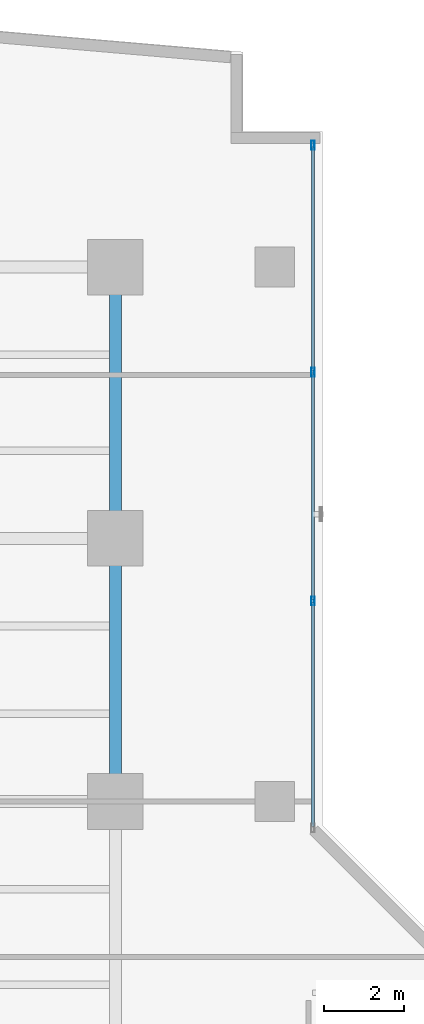
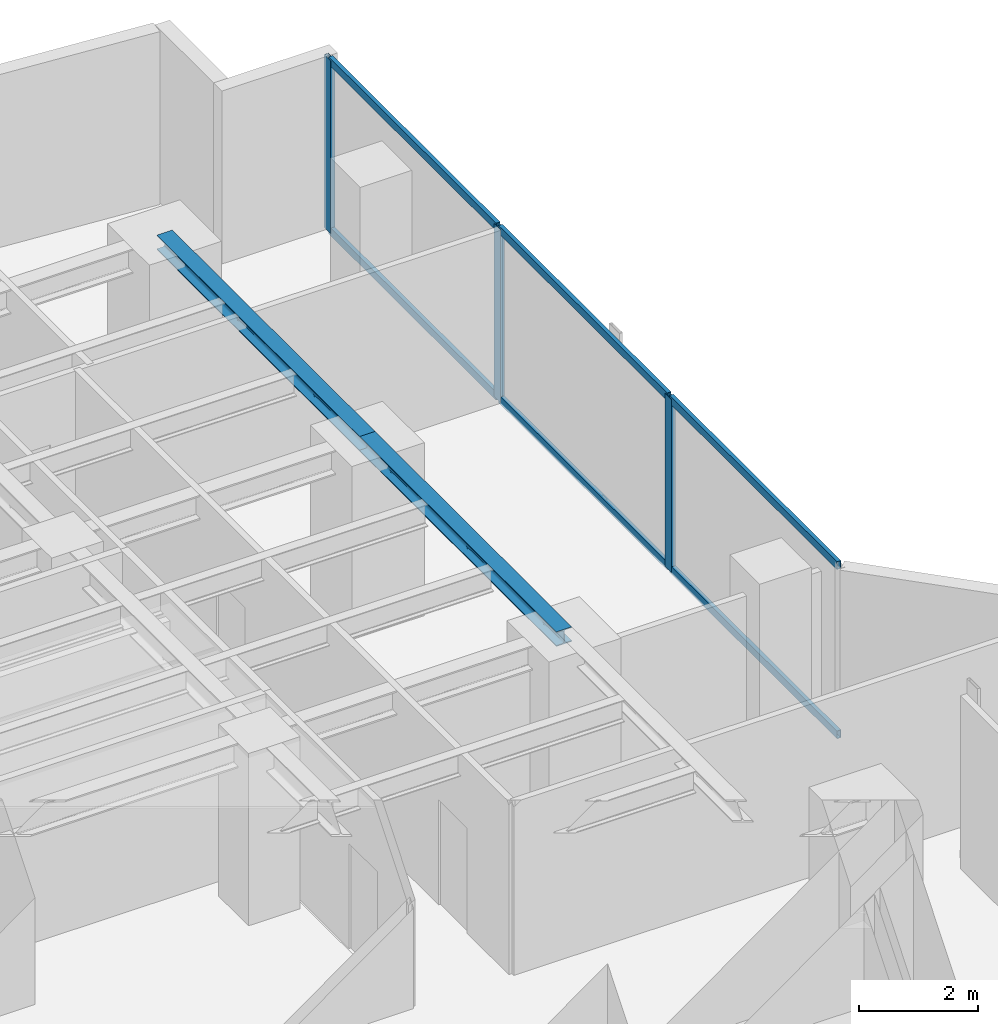
# One storey, part 16 of 26: 9 members, 2 beams, 1 element without a shape of its own.
"""IFC4 building model written with IfcOpenShell, lengths in metres."""

from ifc_helpers import new_model, si_unit, direction, frame, origin, origin_with_axes, origin_2d, place, context, subcontext, project, spatial, hollow_rectangle, i_section, extrude, source, transform, mapped, material, layer, layer_set, material_profile, profile_set, type_object, element, aggregate, save


model = new_model("IFC4")

# Units and contexts
model_context = context("Model", 3, precision=1e-05, world=origin(), true_north=direction((0.0, 1.0)))
body_context = subcontext(model_context, "Body", "Model", "MODEL_VIEW")
ifc_project = project(units=[si_unit("LENGTHUNIT", "METRE"), si_unit("AREAUNIT", "SQUARE_METRE"), si_unit("VOLUMEUNIT", "CUBIC_METRE"), si_unit("PLANEANGLEUNIT", "RADIAN"), si_unit("MASSUNIT", "GRAM", prefix="KILO")], contexts=[model_context])

# Site, building, storey
site_placement = place(None, origin())
site = spatial("IfcSite", under=ifc_project, at=site_placement, CompositionType="ELEMENT")
building_placement = place(site_placement, origin())
building = spatial("IfcBuilding", under=site, at=building_placement, Name="Kolvaren Waterfront Exchange", CompositionType="ELEMENT")
storey_placement = place(building_placement, frame((0.0, 0.0, 87.89990234375)))
storey = spatial("IfcBuildingStorey", under=building, at=storey_placement, Name="L22", CompositionType="ELEMENT", Elevation=87.89990234375)

# Beams
ifc_material_1 = material(Name="Steel S355", Category="steel")
ifc_material_profile_1 = material_profile(ifc_material_1, i_section(OverallWidth=0.300048828125, OverallDepth=0.300048828125, WebThickness=0.010986328125, FlangeThickness=0.01904296875, FilletRadius=0.027099609375, at=origin_2d()), Name="HEB300")
ifc_profile_set_1 = profile_set([ifc_material_profile_1], Name="Steel S355")
beam_type = type_object("IfcBeamType", Name="STR-BM-HEB300", PredefinedType="SPANDREL", material=ifc_profile_set_1)
beam_1_placement = place(storey_placement, frame((18.800048828125, 31.199951171875, 3.39013671875), z_axis=(0.0, 1.0, 0.0), x_axis=(-1.0, 0.0, 0.0)))
element("IfcBeam", 1, at=beam_1_placement, inside=storey, type_object=beam_type, Name="L22 north-arm edge beam 2", PredefinedType="SPANDREL", context=body_context, shape_type="SweptSolid", body=[
    extrude(i_section(OverallWidth=0.300048828125, OverallDepth=0.300048828125, WebThickness=0.010986328125, FlangeThickness=0.01904296875, FilletRadius=0.027099609375, at=origin_2d()), origin(), (0.0, 0.0, 1.0), 6.60009765625),
])
beam_2_placement = place(storey_placement, frame((18.800048828125, 37.800048828125, 3.39013671875), z_axis=(0.0, 1.0, 0.0), x_axis=(-1.0, 0.0, 0.0)))
element("IfcBeam", 2, at=beam_2_placement, inside=storey, type_object=beam_type, Name="L22 north-arm edge beam 3", PredefinedType="SPANDREL", context=body_context, shape_type="SweptSolid", body=[
    extrude(i_section(OverallWidth=0.300048828125, OverallDepth=0.300048828125, WebThickness=0.010986328125, FlangeThickness=0.01904296875, FilletRadius=0.027099609375, at=origin_2d()), origin(), (0.0, 0.0, 1.0), 6.800048828125),
])

# Curtain wall, members
ifc_material_2 = material(Name="Anodised bronze aluminium 6063-T6", Category="aluminium")
ifc_layer = layer(ifc_material_2, 0.219970703125, Name="Anodised bronze aluminium 6063-T6")
ifc_layer_set = layer_set([ifc_layer], Name="Anodised bronze aluminium 6063-T6")
curtain_wall_type = type_object("IfcCurtainWallType", Name="ARC-CW-SYS1", PredefinedType="USERDEFINED", material=ifc_layer_set)
curtain_wall_placement = place(storey_placement, origin())
curtain_wall = element("IfcCurtainWall", 3, at=curtain_wall_placement, inside=storey, type_object=curtain_wall_type, Name="L22 stick curtain wall CW1 (CW-L22-NE)", ObjectType="STICK CURTAIN WALL", PredefinedType="USERDEFINED")
ifc_material_3 = material(Name="Anodised aluminium 6063-T6", Category="aluminium")
ifc_material_profile_2 = material_profile(ifc_material_3, hollow_rectangle(XDim=0.080078125, YDim=0.219970703125, WallThickness=0.0048828125, at=origin_2d()), Name="ALU-MUL-220x80x5")
ifc_profile_set_2 = profile_set([ifc_material_profile_2], Name="Anodised aluminium 6063-T6")
member_type_1 = type_object("IfcMemberType", Name="ARC-CWM-220", PredefinedType="MULLION", material=ifc_profile_set_2)
shared_shape_1 = source(origin_with_axes(), body_context, "Body", "SweptSolid", [
    extrude(hollow_rectangle(XDim=0.080078125, YDim=0.219970703125, WallThickness=0.0048828125, at=origin_2d()), origin(), (0.0, 0.0, 1.0), 3.5400390625),
])
member_1_placement = place(storey_placement, frame((23.760009765625, 36.2265625, 0.0), z_axis=(0.0, 0.0, 1.0), x_axis=(-1.0, 0.0, 0.0)))
member_1 = element("IfcMember", 4, at=member_1_placement, type_object=member_type_1, Name="CW1 mullion 2", PredefinedType="MULLION", context=body_context, shape_type="MappedRepresentation", body=[
    mapped(shared_shape_1, transform((0.0, 0.0, 0.0), x_axis=(1.0, 0.0, 0.0), y_axis=(0.0, 1.0, 0.0), z_axis=(0.0, 0.0, 1.0), scale=1.0)),
])
member_2_placement = place(storey_placement, frame((23.760009765625, 41.96337890625, 0.0), z_axis=(0.0, 0.0, 1.0), x_axis=(-1.0, 0.0, 0.0)))
member_2 = element("IfcMember", 5, at=member_2_placement, type_object=member_type_1, Name="CW1 mullion 3", PredefinedType="MULLION", context=body_context, shape_type="MappedRepresentation", body=[
    mapped(shared_shape_1, transform((0.0, 0.0, 0.0), x_axis=(1.0, 0.0, 0.0), y_axis=(0.0, 1.0, 0.0), z_axis=(0.0, 0.0, 1.0), scale=1.0)),
])
member_3_placement = place(storey_placement, frame((23.760009765625, 47.659912109375, 0.0), z_axis=(0.0, 0.0, 1.0), x_axis=(-1.0, 0.0, 0.0)))
member_3 = element("IfcMember", 6, at=member_3_placement, type_object=member_type_1, Name="CW1 mullion 4", PredefinedType="MULLION", context=body_context, shape_type="MappedRepresentation", body=[
    mapped(shared_shape_1, transform((0.0, 0.0, 0.0), x_axis=(1.0, 0.0, 0.0), y_axis=(0.0, 1.0, 0.0), z_axis=(0.0, 0.0, 1.0), scale=1.0)),
])
ifc_material_profile_3 = material_profile(ifc_material_3, hollow_rectangle(XDim=0.074951171875, YDim=0.159912109375, WallThickness=0.00439453125, at=origin_2d()), Name="ALU-TRN-160x75x4.5")
ifc_profile_set_3 = profile_set([ifc_material_profile_3], Name="Anodised aluminium 6063-T6")
member_type_2 = type_object("IfcMemberType", Name="ARC-CWT-160", PredefinedType="USERDEFINED", material=ifc_profile_set_3)
shared_shape_2 = source(origin_with_axes(), body_context, "Body", "SweptSolid", [
    extrude(hollow_rectangle(XDim=0.074951171875, YDim=0.159912109375, WallThickness=0.00439453125, at=origin_2d()), origin(), (0.0, 0.0, 1.0), 5.61669921875),
])
member_4_placement = place(storey_placement, frame((23.760009765625, 30.570068359375, 0.03759765625), z_axis=(0.0, 1.0, 0.0), x_axis=(-1.0, 0.0, 0.0)))
member_4 = element("IfcMember", 7, at=member_4_placement, type_object=member_type_2, Name="CW1 transom 1.1", ObjectType="TRANSOM", PredefinedType="USERDEFINED", context=body_context, shape_type="MappedRepresentation", body=[
    mapped(shared_shape_2, transform((0.0, 0.0, 0.0), x_axis=(1.0, 0.0, 0.0), y_axis=(0.0, 1.0, 0.0), z_axis=(0.0, 0.0, 1.0), scale=1.0)),
])
member_5_placement = place(storey_placement, frame((23.760009765625, 30.570068359375, 3.502685546875), z_axis=(0.0, 1.0, 0.0), x_axis=(-1.0, 0.0, 0.0)))
member_5 = element("IfcMember", 8, at=member_5_placement, type_object=member_type_2, Name="CW1 transom 1.2", ObjectType="TRANSOM", PredefinedType="USERDEFINED", context=body_context, shape_type="MappedRepresentation", body=[
    mapped(shared_shape_2, transform((0.0, 0.0, 0.0), x_axis=(1.0, 0.0, 0.0), y_axis=(0.0, 1.0, 0.0), z_axis=(0.0, 0.0, 1.0), scale=1.0)),
])
member_6_placement = place(storey_placement, frame((23.760009765625, 42.00341796875, 0.03759765625), z_axis=(0.0, 1.0, 0.0), x_axis=(-1.0, 0.0, 0.0)))
member_6 = element("IfcMember", 9, at=member_6_placement, type_object=member_type_2, Name="CW1 transom 3.1", ObjectType="TRANSOM", PredefinedType="USERDEFINED", context=body_context, shape_type="MappedRepresentation", body=[
    mapped(shared_shape_2, transform((0.0, 0.0, 0.0), x_axis=(1.0, 0.0, 0.0), y_axis=(0.0, 1.0, 0.0), z_axis=(0.0, 0.0, 1.0), scale=1.0)),
])
member_7_placement = place(storey_placement, frame((23.760009765625, 42.00341796875, 3.502685546875), z_axis=(0.0, 1.0, 0.0), x_axis=(-1.0, 0.0, 0.0)))
member_7 = element("IfcMember", 10, at=member_7_placement, type_object=member_type_2, Name="CW1 transom 3.2", ObjectType="TRANSOM", PredefinedType="USERDEFINED", context=body_context, shape_type="MappedRepresentation", body=[
    mapped(shared_shape_2, transform((0.0, 0.0, 0.0), x_axis=(1.0, 0.0, 0.0), y_axis=(0.0, 1.0, 0.0), z_axis=(0.0, 0.0, 1.0), scale=1.0)),
])
shared_shape_3 = source(origin_with_axes(), body_context, "Body", "SweptSolid", [
    extrude(hollow_rectangle(XDim=0.074951171875, YDim=0.159912109375, WallThickness=0.00439453125, at=origin_2d()), origin(), (0.0, 0.0, 1.0), 5.65673828125),
])
member_8_placement = place(storey_placement, frame((23.760009765625, 36.2666015625, 0.03759765625), z_axis=(0.0, 1.0, 0.0), x_axis=(-1.0, 0.0, 0.0)))
member_8 = element("IfcMember", 11, at=member_8_placement, type_object=member_type_2, Name="CW1 transom 2.1", ObjectType="TRANSOM", PredefinedType="USERDEFINED", context=body_context, shape_type="MappedRepresentation", body=[
    mapped(shared_shape_3, transform((0.0, 0.0, 0.0), x_axis=(1.0, 0.0, 0.0), y_axis=(0.0, 1.0, 0.0), z_axis=(0.0, 0.0, 1.0), scale=1.0)),
])
member_9_placement = place(storey_placement, frame((23.760009765625, 36.2666015625, 3.502685546875), z_axis=(0.0, 1.0, 0.0), x_axis=(-1.0, 0.0, 0.0)))
member_9 = element("IfcMember", 12, at=member_9_placement, type_object=member_type_2, Name="CW1 transom 2.2", ObjectType="TRANSOM", PredefinedType="USERDEFINED", context=body_context, shape_type="MappedRepresentation", body=[
    mapped(shared_shape_3, transform((0.0, 0.0, 0.0), x_axis=(1.0, 0.0, 0.0), y_axis=(0.0, 1.0, 0.0), z_axis=(0.0, 0.0, 1.0), scale=1.0)),
])
aggregate(curtain_wall, [member_1, member_2, member_3, member_4, member_5, member_8, member_9, member_6, member_7])

save(model, "model.ifc")
